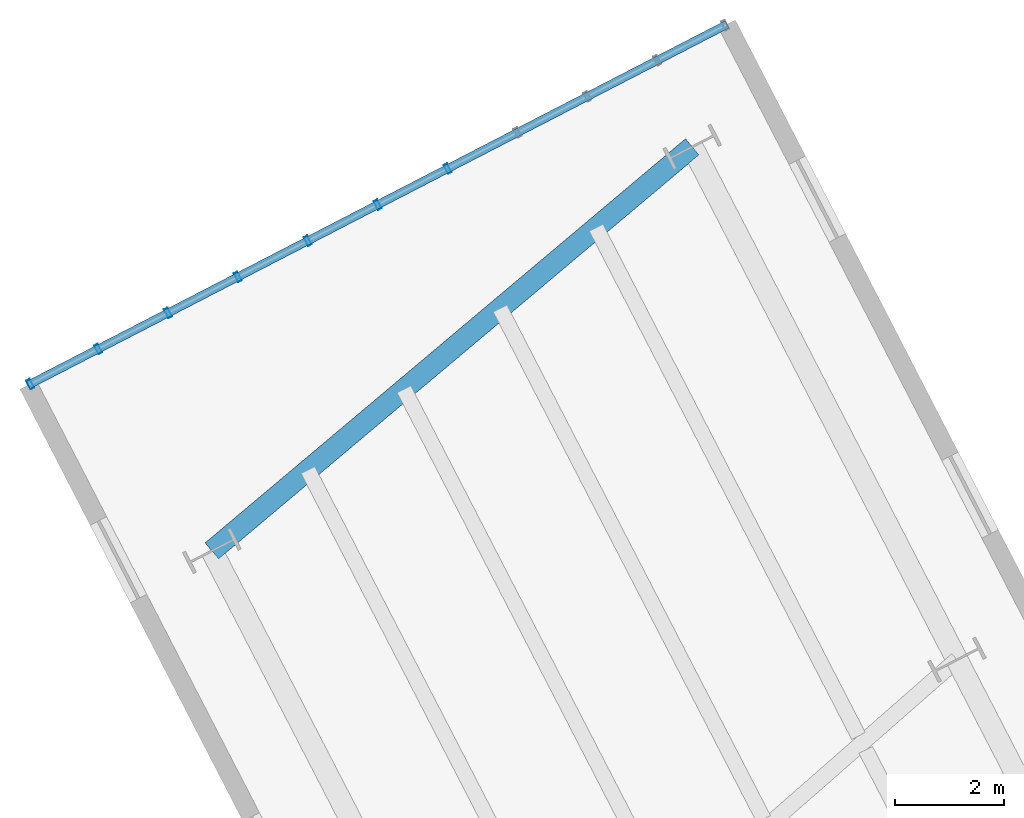
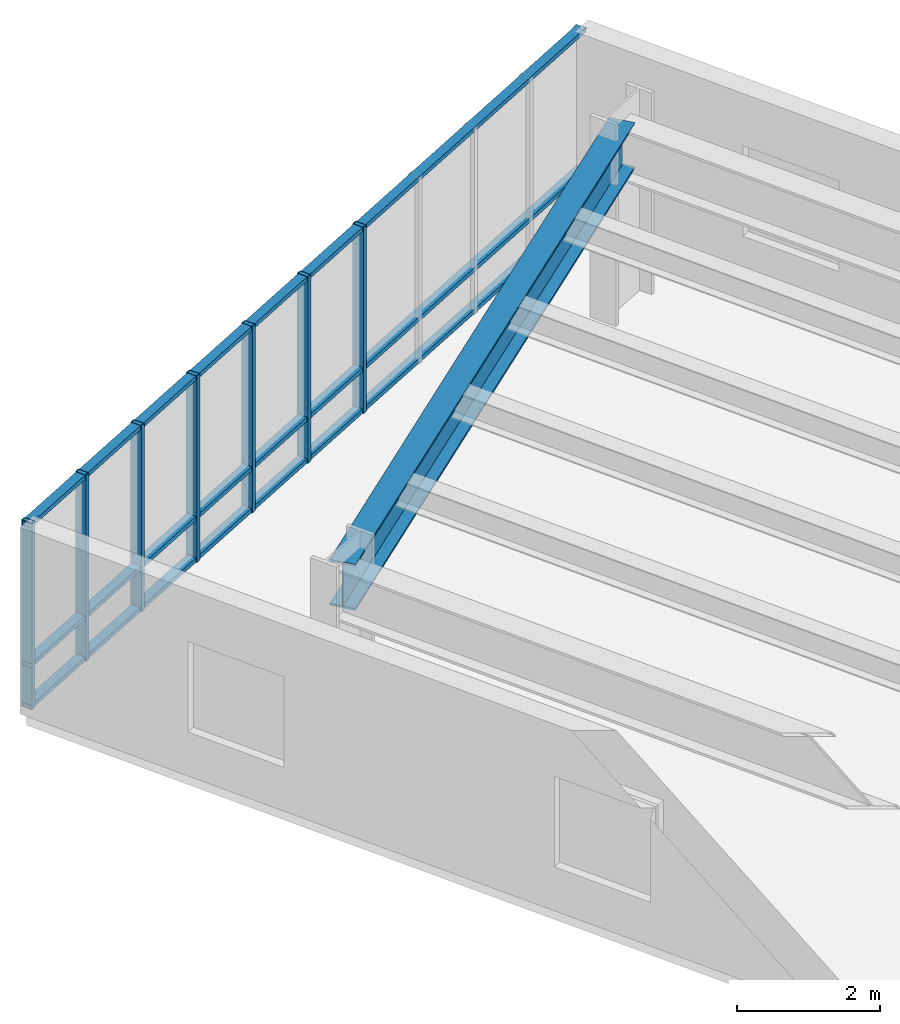
# One storey, part 3 of 11: 10 members, 1 beam, 1 element without a shape of its own.
"""IFC4 building model written with IfcOpenShell, lengths in metres."""

from ifc_helpers import new_model, si_unit, direction, frame, origin, origin_2d, place, context, subcontext, project, spatial, hollow_rectangle, i_section, extrude, material, layer, layer_set, material_profile, profile_set, type_object, element, aggregate, save


model = new_model("IFC4")

# Units and contexts
model_context = context("Model", 3, precision=1e-05, world=origin(), true_north=direction((0.0, 1.0)))
body_context = subcontext(model_context, "Body", "Model", "MODEL_VIEW")
ifc_project = project(units=[si_unit("LENGTHUNIT", "METRE"), si_unit("AREAUNIT", "SQUARE_METRE"), si_unit("VOLUMEUNIT", "CUBIC_METRE"), si_unit("PLANEANGLEUNIT", "RADIAN"), si_unit("MASSUNIT", "GRAM", prefix="KILO"), si_unit("THERMODYNAMICTEMPERATUREUNIT", "KELVIN"), si_unit("POWERUNIT", "WATT")], contexts=[model_context])

# Site, building, storey
site_placement = place(None, origin())
site = spatial("IfcSite", under=ifc_project, at=site_placement, CompositionType="ELEMENT")
building_placement = place(site_placement, origin())
building = spatial("IfcBuilding", under=site, at=building_placement, Name="Skarre Station Tower", CompositionType="ELEMENT")
storey_placement = place(building_placement, frame((0.0, 0.0, 146.39990234375)))
storey = spatial("IfcBuildingStorey", under=building, at=storey_placement, Name="L39", CompositionType="ELEMENT", Elevation=146.39990234375)

# Curtain wall, members
ifc_material_1 = material(Name="Thermally Broken Bronze-Anodized Aluminium & Triple Low-E Glass", Category="aluminium")
ifc_layer = layer(ifc_material_1, 0.2099609375, Name="Thermally Broken Bronze-Anodized Aluminium & Triple Low-E Glass")
ifc_layer_set = layer_set([ifc_layer], Name="Thermally Broken Bronze-Anodized Aluminium & Triple Low-E Glass")
curtain_wall_type = type_object("IfcCurtainWallType", Name="Sky-Bar Prow Structural Glazed Curtain Wall", PredefinedType="NOTDEFINED", material=ifc_layer_set)
curtain_wall_placement = place(storey_placement, origin())
curtain_wall = element("IfcCurtainWall", 1, at=curtain_wall_placement, inside=storey, type_object=curtain_wall_type, Name="L39 SB-3 Lakefront Prow Curtain Wall", PredefinedType="NOTDEFINED")
ifc_material_2 = material(Name="Anodized Aluminium 6063-T6", Category="aluminium")
ifc_material_profile_1 = material_profile(ifc_material_2, hollow_rectangle(XDim=0.074951171875, YDim=0.14990234375, WallThickness=0.00390625, at=origin_2d()), Name="Anodized Aluminium 6063-T6")
ifc_profile_set_1 = profile_set([ifc_material_profile_1], Name="Anodized Aluminium 6063-T6")
member_type_1 = type_object("IfcMemberType", Name="Curtain-Wall Secondary Transom 150x75", PredefinedType="USERDEFINED", material=ifc_profile_set_1)
member_1_placement = place(storey_placement, frame((10.279052734375, 54.006103515625, 0.0400390625), z_axis=(0.888602378714, 0.458678332324, 0.0), x_axis=(0.0, 0.0, 1.0)))
member_1 = element("IfcMember", 2, at=member_1_placement, type_object=member_type_1, Name="L39 SB-3 Lakefront Prow Curtain Wall Transom 1", ObjectType="TRANSOM", PredefinedType="USERDEFINED", context=body_context, shape_type="SweptSolid", body=[
    extrude(hollow_rectangle(XDim=0.074951171875, YDim=0.14990234375, WallThickness=0.00390625, at=origin_2d()), origin(), (0.0, 0.0, 1.0), 14.400146484375),
])
member_2_placement = place(storey_placement, frame((10.279052734375, 54.006103515625, 0.75), z_axis=(0.888602378714, 0.458678332324, 0.0), x_axis=(0.0, 0.0, 1.0)))
member_2 = element("IfcMember", 3, at=member_2_placement, type_object=member_type_1, Name="L39 SB-3 Lakefront Prow Curtain Wall Transom 2", ObjectType="TRANSOM", PredefinedType="USERDEFINED", context=body_context, shape_type="SweptSolid", body=[
    extrude(hollow_rectangle(XDim=0.074951171875, YDim=0.14990234375, WallThickness=0.00390625, at=origin_2d()), origin(), (0.0, 0.0, 1.0), 14.400146484375),
])
member_3_placement = place(storey_placement, frame((10.279052734375, 54.006103515625, 3.150146484375), z_axis=(0.888602378714, 0.458678332324, 0.0), x_axis=(0.0, 0.0, 1.0)))
member_3 = element("IfcMember", 4, at=member_3_placement, type_object=member_type_1, Name="L39 SB-3 Lakefront Prow Curtain Wall Transom 3", ObjectType="TRANSOM", PredefinedType="USERDEFINED", context=body_context, shape_type="SweptSolid", body=[
    extrude(hollow_rectangle(XDim=0.074951171875, YDim=0.14990234375, WallThickness=0.00390625, at=origin_2d()), origin(), (0.0, 0.0, 1.0), 14.400146484375),
])
ifc_material_profile_2 = material_profile(ifc_material_2, hollow_rectangle(XDim=0.074951171875, YDim=0.179931640625, WallThickness=0.00390625, at=origin_2d()), Name="Anodized Aluminium 6063-T6")
ifc_profile_set_2 = profile_set([ifc_material_profile_2], Name="Anodized Aluminium 6063-T6")
member_type_2 = type_object("IfcMemberType", Name="Curtain-Wall Unitised Tower Mullion 180x75", PredefinedType="MULLION", material=ifc_profile_set_2)
member_4_placement = place(storey_placement, frame((10.31494140625, 54.02392578125, 0.0), z_axis=(0.0, 0.0, 1.0), x_axis=(0.888601222224, 0.458680572798, 0.0)))
member_4 = element("IfcMember", 5, at=member_4_placement, type_object=member_type_2, Name="L39 SB-3 Lakefront Prow Curtain Wall Mullion 1", PredefinedType="MULLION", context=body_context, shape_type="SweptSolid", body=[
    extrude(hollow_rectangle(XDim=0.074951171875, YDim=0.179931640625, WallThickness=0.00390625, at=origin_2d()), origin(), (0.0, 0.0, 1.0), 3.190185546875),
])
member_5_placement = place(storey_placement, frame((11.55908203125, 54.666015625, 0.0), z_axis=(0.0, 0.0, 1.0), x_axis=(0.888601222224, 0.458680572798, 0.0)))
member_5 = element("IfcMember", 6, at=member_5_placement, type_object=member_type_2, Name="L39 SB-3 Lakefront Prow Curtain Wall Mullion 2", PredefinedType="MULLION", context=body_context, shape_type="SweptSolid", body=[
    extrude(hollow_rectangle(XDim=0.074951171875, YDim=0.179931640625, WallThickness=0.00390625, at=origin_2d()), origin(), (0.0, 0.0, 1.0), 3.190185546875),
])
member_6_placement = place(storey_placement, frame((12.837890625, 55.326904296875, 0.0), z_axis=(0.0, 0.0, 1.0), x_axis=(0.888601222224, 0.458680572798, 0.0)))
member_6 = element("IfcMember", 7, at=member_6_placement, type_object=member_type_2, Name="L39 SB-3 Lakefront Prow Curtain Wall Mullion 3", PredefinedType="MULLION", context=body_context, shape_type="SweptSolid", body=[
    extrude(hollow_rectangle(XDim=0.074951171875, YDim=0.179931640625, WallThickness=0.00390625, at=origin_2d()), origin(), (0.0, 0.0, 1.0), 3.190185546875),
])
member_7_placement = place(storey_placement, frame((14.117919921875, 55.987060546875, 0.0), z_axis=(0.0, 0.0, 1.0), x_axis=(0.888601222224, 0.458680572798, 0.0)))
member_7 = element("IfcMember", 8, at=member_7_placement, type_object=member_type_2, Name="L39 SB-3 Lakefront Prow Curtain Wall Mullion 4", PredefinedType="MULLION", context=body_context, shape_type="SweptSolid", body=[
    extrude(hollow_rectangle(XDim=0.074951171875, YDim=0.179931640625, WallThickness=0.00390625, at=origin_2d()), origin(), (0.0, 0.0, 1.0), 3.190185546875),
])
member_8_placement = place(storey_placement, frame((15.39697265625, 56.64794921875, 0.0), z_axis=(0.0, 0.0, 1.0), x_axis=(0.888601222224, 0.458680572798, 0.0)))
member_8 = element("IfcMember", 9, at=member_8_placement, type_object=member_type_2, Name="L39 SB-3 Lakefront Prow Curtain Wall Mullion 5", PredefinedType="MULLION", context=body_context, shape_type="SweptSolid", body=[
    extrude(hollow_rectangle(XDim=0.074951171875, YDim=0.179931640625, WallThickness=0.00390625, at=origin_2d()), origin(), (0.0, 0.0, 1.0), 3.190185546875),
])
member_9_placement = place(storey_placement, frame((16.677001953125, 57.30810546875, 0.0), z_axis=(0.0, 0.0, 1.0), x_axis=(0.888601222224, 0.458680572798, 0.0)))
member_9 = element("IfcMember", 10, at=member_9_placement, type_object=member_type_2, Name="L39 SB-3 Lakefront Prow Curtain Wall Mullion 6", PredefinedType="MULLION", context=body_context, shape_type="SweptSolid", body=[
    extrude(hollow_rectangle(XDim=0.074951171875, YDim=0.179931640625, WallThickness=0.00390625, at=origin_2d()), origin(), (0.0, 0.0, 1.0), 3.190185546875),
])
member_10_placement = place(storey_placement, frame((17.95703125, 57.968994140625, 0.0), z_axis=(0.0, 0.0, 1.0), x_axis=(0.888601222224, 0.458680572798, 0.0)))
member_10 = element("IfcMember", 11, at=member_10_placement, type_object=member_type_2, Name="L39 SB-3 Lakefront Prow Curtain Wall Mullion 7", PredefinedType="MULLION", context=body_context, shape_type="SweptSolid", body=[
    extrude(hollow_rectangle(XDim=0.074951171875, YDim=0.179931640625, WallThickness=0.00390625, at=origin_2d()), origin(), (0.0, 0.0, 1.0), 3.190185546875),
])
aggregate(curtain_wall, [member_4, member_5, member_6, member_7, member_8, member_9, member_10, member_1, member_2, member_3])

# Beam
ifc_material_3 = material(Name="Steel ASTM A992 Grade 50", Category="steel")
ifc_material_profile_3 = material_profile(ifc_material_3, i_section(OverallWidth=0.384033203125, OverallDepth=0.785888671875, WebThickness=0.02001953125, FlangeThickness=0.032958984375, at=origin_2d()), Name="Steel ASTM A992 Grade 50")
ifc_profile_set_3 = profile_set([ifc_material_profile_3], Name="Steel ASTM A992 Grade 50")
beam_type = type_object("IfcBeamType", Name="Steel Spandrel W30X211", PredefinedType="SPANDREL", material=ifc_profile_set_3)
beam_placement = place(storey_placement, frame((22.43603515625, 58.367919921875, 2.772216796875), z_axis=(-0.765266948908, -0.643713054792, 0.0), x_axis=(0.643713054792, -0.765266948908, 0.0)))
element("IfcBeam", 12, at=beam_placement, inside=storey, type_object=beam_type, Name="L39 SB-3 Prow Spandrel Girder", PredefinedType="SPANDREL", context=body_context, shape_type="SweptSolid", body=[
    extrude(i_section(OverallWidth=0.384033203125, OverallDepth=0.785888671875, WebThickness=0.02001953125, FlangeThickness=0.032958984375, at=origin_2d()), origin(), (0.0, 0.0, 1.0), 11.49267578125),
])

save(model, "model.ifc")
